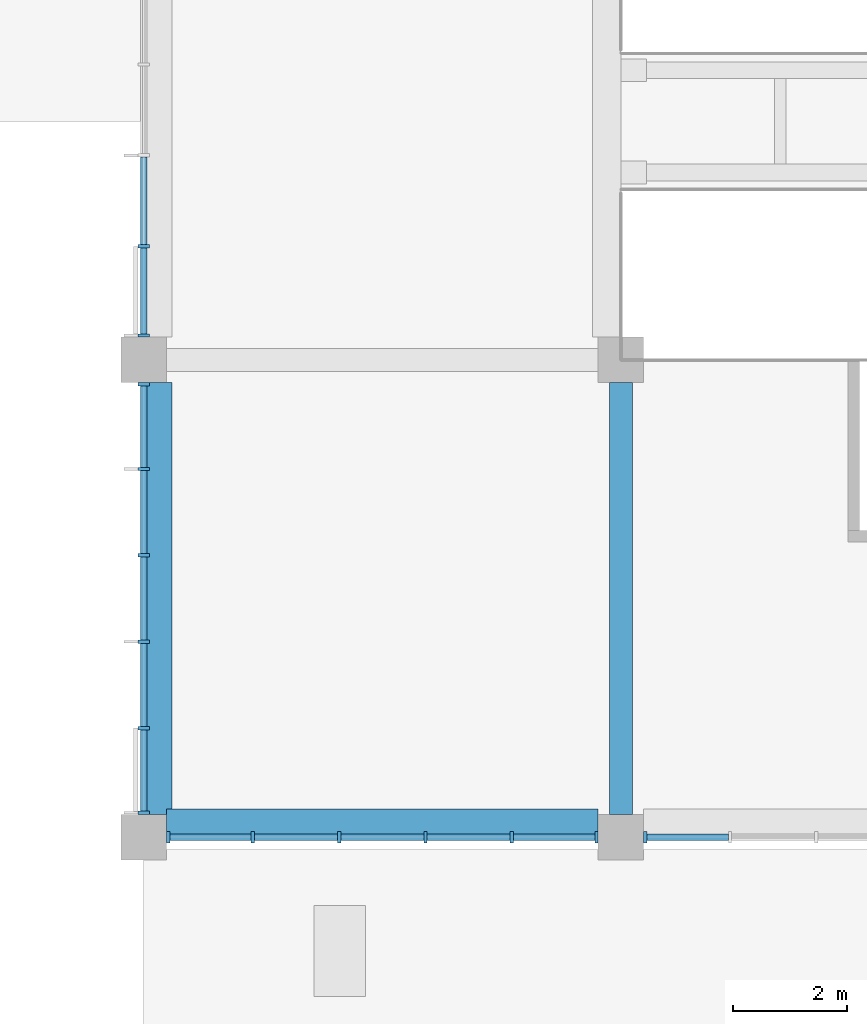
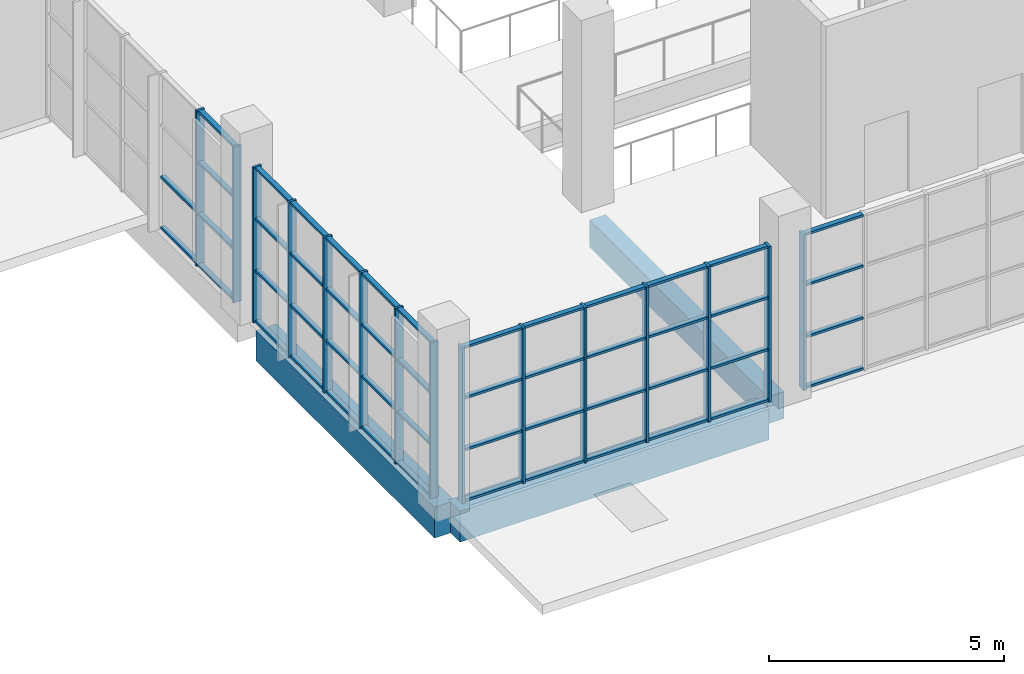
# One storey, part 11 of 101: 65 members, 3 beams, 4 elements without a shape of their own.
"""IFC4 building model written with IfcOpenShell, lengths in metres."""

from ifc_helpers import new_model, si_unit, direction, frame, origin, origin_2d, place, context, subcontext, project, spatial, rectangle, extrude, material, material_profile, profile_set, type_object, element, aggregate, save


model = new_model("IFC4")

# Units and contexts
model_context = context("Model", 3, precision=1e-05, world=origin(), true_north=direction((0.0, 1.0)))
body_context = subcontext(model_context, "Body", "Model", "MODEL_VIEW")
ifc_project = project(units=[si_unit("LENGTHUNIT", "METRE"), si_unit("AREAUNIT", "SQUARE_METRE"), si_unit("VOLUMEUNIT", "CUBIC_METRE"), si_unit("PLANEANGLEUNIT", "RADIAN"), si_unit("MASSUNIT", "GRAM", prefix="KILO")], contexts=[model_context])

# Site, building, storey
site_placement = place(None, origin())
site = spatial("IfcSite", under=ifc_project, at=site_placement, CompositionType="ELEMENT")
building_placement = place(site_placement, origin())
building = spatial("IfcBuilding", under=site, at=building_placement, Name="Almond Square Museum", CompositionType="ELEMENT")
storey_placement = place(building_placement, frame((0.0, 0.0, 5.5)))
storey = spatial("IfcBuildingStorey", under=building, at=storey_placement, Name="L01", CompositionType="ELEMENT", Elevation=5.5)

# Curtain wall, members
ifc_material_1 = material(Name="Aluminium and laminated glass", Category="aluminium")
curtain_wall_type = type_object("IfcCurtainWallType", Name="Unitised curtain wall 1500 module", PredefinedType="NOTDEFINED", material=ifc_material_1)
curtain_wall_1_placement = place(storey_placement, origin())
curtain_wall_1 = element("IfcCurtainWall", 1, at=curtain_wall_1_placement, inside=storey, type_object=curtain_wall_type, Name="Curtain wall CW-11", PredefinedType="NOTDEFINED")
ifc_material_2 = material(Name="Anodised aluminium", Category="aluminium")
ifc_material_profile_1 = material_profile(ifc_material_2, rectangle(XDim=0.199951171875, YDim=0.06005859375, at=origin_2d()))
ifc_profile_set_1 = profile_set([ifc_material_profile_1], Name="Anodised aluminium")
member_type_1 = type_object("IfcMemberType", Name="Aluminium mullion 60 x 200", PredefinedType="MULLION", material=ifc_profile_set_1)
member_1_placement = place(storey_placement, frame((73.199951171875, 76.030029296875, 0.0), z_axis=(0.0, 0.0, 1.0), x_axis=(-1.0, 0.0, 0.0)))
member_1 = element("IfcMember", 2, at=member_1_placement, type_object=member_type_1, Name="CW-11 mullion 1", PredefinedType="MULLION", context=body_context, shape_type="SweptSolid", body=[
    extrude(rectangle(XDim=0.199951171875, YDim=0.06005859375, at=origin_2d()), origin(), (0.0, 0.0, 1.0), 4.050048828125),
])
member_2_placement = place(storey_placement, frame((73.199951171875, 77.60009765625, 0.0), z_axis=(0.0, 0.0, 1.0), x_axis=(-1.0, 0.0, 0.0)))
member_2 = element("IfcMember", 3, at=member_2_placement, type_object=member_type_1, Name="CW-11 mullion 2", PredefinedType="MULLION", context=body_context, shape_type="SweptSolid", body=[
    extrude(rectangle(XDim=0.199951171875, YDim=0.06005859375, at=origin_2d()), origin(), (0.0, 0.0, 1.0), 4.050048828125),
])

curtain_wall_2_placement = place(storey_placement, origin())
curtain_wall_2 = element("IfcCurtainWall", 4, at=curtain_wall_2_placement, inside=storey, type_object=curtain_wall_type, Name="Curtain wall CW-12", PredefinedType="NOTDEFINED")
member_3_placement = place(storey_placement, frame((73.199951171875, 67.6298828125, 0.0), z_axis=(0.0, 0.0, 1.0), x_axis=(-1.0, 0.0, 0.0)))
member_3 = element("IfcMember", 5, at=member_3_placement, type_object=member_type_1, Name="CW-12 mullion 1", PredefinedType="MULLION", context=body_context, shape_type="SweptSolid", body=[
    extrude(rectangle(XDim=0.199951171875, YDim=0.06005859375, at=origin_2d()), origin(), (0.0, 0.0, 1.0), 4.050048828125),
])
member_4_placement = place(storey_placement, frame((73.199951171875, 69.1201171875, 0.0), z_axis=(0.0, 0.0, 1.0), x_axis=(-1.0, 0.0, 0.0)))
member_4 = element("IfcMember", 6, at=member_4_placement, type_object=member_type_1, Name="CW-12 mullion 2", PredefinedType="MULLION", context=body_context, shape_type="SweptSolid", body=[
    extrude(rectangle(XDim=0.199951171875, YDim=0.06005859375, at=origin_2d()), origin(), (0.0, 0.0, 1.0), 4.050048828125),
])
member_5_placement = place(storey_placement, frame((73.199951171875, 70.639892578125, 0.0), z_axis=(0.0, 0.0, 1.0), x_axis=(-1.0, 0.0, 0.0)))
member_5 = element("IfcMember", 7, at=member_5_placement, type_object=member_type_1, Name="CW-12 mullion 3", PredefinedType="MULLION", context=body_context, shape_type="SweptSolid", body=[
    extrude(rectangle(XDim=0.199951171875, YDim=0.06005859375, at=origin_2d()), origin(), (0.0, 0.0, 1.0), 4.050048828125),
])
member_6_placement = place(storey_placement, frame((73.199951171875, 72.159912109375, 0.0), z_axis=(0.0, 0.0, 1.0), x_axis=(-1.0, 0.0, 0.0)))
member_6 = element("IfcMember", 8, at=member_6_placement, type_object=member_type_1, Name="CW-12 mullion 4", PredefinedType="MULLION", context=body_context, shape_type="SweptSolid", body=[
    extrude(rectangle(XDim=0.199951171875, YDim=0.06005859375, at=origin_2d()), origin(), (0.0, 0.0, 1.0), 4.050048828125),
])
member_7_placement = place(storey_placement, frame((73.199951171875, 73.679931640625, 0.0), z_axis=(0.0, 0.0, 1.0), x_axis=(-1.0, 0.0, 0.0)))
member_7 = element("IfcMember", 9, at=member_7_placement, type_object=member_type_1, Name="CW-12 mullion 5", PredefinedType="MULLION", context=body_context, shape_type="SweptSolid", body=[
    extrude(rectangle(XDim=0.199951171875, YDim=0.06005859375, at=origin_2d()), origin(), (0.0, 0.0, 1.0), 4.050048828125),
])
member_8_placement = place(storey_placement, frame((73.199951171875, 75.169921875, 0.0), z_axis=(0.0, 0.0, 1.0), x_axis=(-1.0, 0.0, 0.0)))
member_8 = element("IfcMember", 10, at=member_8_placement, type_object=member_type_1, Name="CW-12 mullion 6", PredefinedType="MULLION", context=body_context, shape_type="SweptSolid", body=[
    extrude(rectangle(XDim=0.199951171875, YDim=0.06005859375, at=origin_2d()), origin(), (0.0, 0.0, 1.0), 4.050048828125),
])

curtain_wall_3_placement = place(storey_placement, origin())
curtain_wall_3 = element("IfcCurtainWall", 11, at=curtain_wall_3_placement, inside=storey, type_object=curtain_wall_type, Name="Curtain wall CW-13", PredefinedType="NOTDEFINED")
member_9_placement = place(storey_placement, frame((73.6298828125, 67.199951171875, 0.0), z_axis=(0.0, 0.0, 1.0), x_axis=(0.0, 1.0, 0.0)))
member_9 = element("IfcMember", 12, at=member_9_placement, type_object=member_type_1, Name="CW-13 mullion 1", PredefinedType="MULLION", context=body_context, shape_type="SweptSolid", body=[
    extrude(rectangle(XDim=0.199951171875, YDim=0.06005859375, at=origin_2d()), origin(), (0.0, 0.0, 1.0), 4.050048828125),
])
member_10_placement = place(storey_placement, frame((75.1201171875, 67.199951171875, 0.0), z_axis=(0.0, 0.0, 1.0), x_axis=(0.0, 1.0, 0.0)))
member_10 = element("IfcMember", 13, at=member_10_placement, type_object=member_type_1, Name="CW-13 mullion 2", PredefinedType="MULLION", context=body_context, shape_type="SweptSolid", body=[
    extrude(rectangle(XDim=0.199951171875, YDim=0.06005859375, at=origin_2d()), origin(), (0.0, 0.0, 1.0), 4.050048828125),
])
member_11_placement = place(storey_placement, frame((76.639892578125, 67.199951171875, 0.0), z_axis=(0.0, 0.0, 1.0), x_axis=(0.0, 1.0, 0.0)))
member_11 = element("IfcMember", 14, at=member_11_placement, type_object=member_type_1, Name="CW-13 mullion 3", PredefinedType="MULLION", context=body_context, shape_type="SweptSolid", body=[
    extrude(rectangle(XDim=0.199951171875, YDim=0.06005859375, at=origin_2d()), origin(), (0.0, 0.0, 1.0), 4.050048828125),
])
member_12_placement = place(storey_placement, frame((78.159912109375, 67.199951171875, 0.0), z_axis=(0.0, 0.0, 1.0), x_axis=(0.0, 1.0, 0.0)))
member_12 = element("IfcMember", 15, at=member_12_placement, type_object=member_type_1, Name="CW-13 mullion 4", PredefinedType="MULLION", context=body_context, shape_type="SweptSolid", body=[
    extrude(rectangle(XDim=0.199951171875, YDim=0.06005859375, at=origin_2d()), origin(), (0.0, 0.0, 1.0), 4.050048828125),
])
member_13_placement = place(storey_placement, frame((79.679931640625, 67.199951171875, 0.0), z_axis=(0.0, 0.0, 1.0), x_axis=(0.0, 1.0, 0.0)))
member_13 = element("IfcMember", 16, at=member_13_placement, type_object=member_type_1, Name="CW-13 mullion 5", PredefinedType="MULLION", context=body_context, shape_type="SweptSolid", body=[
    extrude(rectangle(XDim=0.199951171875, YDim=0.06005859375, at=origin_2d()), origin(), (0.0, 0.0, 1.0), 4.050048828125),
])
member_14_placement = place(storey_placement, frame((81.169921875, 67.199951171875, 0.0), z_axis=(0.0, 0.0, 1.0), x_axis=(0.0, 1.0, 0.0)))
member_14 = element("IfcMember", 17, at=member_14_placement, type_object=member_type_1, Name="CW-13 mullion 6", PredefinedType="MULLION", context=body_context, shape_type="SweptSolid", body=[
    extrude(rectangle(XDim=0.199951171875, YDim=0.06005859375, at=origin_2d()), origin(), (0.0, 0.0, 1.0), 4.050048828125),
])

# Curtain wall, member
curtain_wall_4_placement = place(storey_placement, origin())
curtain_wall_4 = element("IfcCurtainWall", 18, at=curtain_wall_4_placement, inside=storey, type_object=curtain_wall_type, Name="Curtain wall CW-14", PredefinedType="NOTDEFINED")
member_15_placement = place(storey_placement, frame((82.030029296875, 67.199951171875, 0.0), z_axis=(0.0, 0.0, 1.0), x_axis=(0.0, 1.0, 0.0)))
member_15 = element("IfcMember", 19, at=member_15_placement, type_object=member_type_1, Name="CW-14 mullion 1", PredefinedType="MULLION", context=body_context, shape_type="SweptSolid", body=[
    extrude(rectangle(XDim=0.199951171875, YDim=0.06005859375, at=origin_2d()), origin(), (0.0, 0.0, 1.0), 4.050048828125),
])

# Member
ifc_material_3 = material(Name="Anodised aluminium", Category="aluminium")
ifc_material_profile_2 = material_profile(ifc_material_3, rectangle(XDim=0.1201171875, YDim=0.06005859375, at=origin_2d()))
ifc_profile_set_2 = profile_set([ifc_material_profile_2], Name="Anodised aluminium")
member_type_2 = type_object("IfcMemberType", Name="Aluminium transom 60 x 120", PredefinedType="USERDEFINED", material=ifc_profile_set_2)
member_16_placement = place(storey_placement, frame((73.199951171875, 76.06005859375, 0.030029296875), z_axis=(0.0, 1.0, 0.0), x_axis=(-1.0, 0.0, 0.0)))
member_16 = element("IfcMember", 20, at=member_16_placement, type_object=member_type_2, Name="CW-11 transom 1.1", ObjectType="TRANSOM", PredefinedType="USERDEFINED", context=body_context, shape_type="SweptSolid", body=[
    extrude(rectangle(XDim=0.1201171875, YDim=0.06005859375, at=origin_2d()), origin(), (0.0, 0.0, 1.0), 1.510009765625),
])

member_17_placement = place(storey_placement, frame((73.199951171875, 76.06005859375, 1.35009765625), z_axis=(0.0, 1.0, 0.0), x_axis=(-1.0, 0.0, 0.0)))
member_17 = element("IfcMember", 21, at=member_17_placement, type_object=member_type_2, Name="CW-11 transom 1.2", ObjectType="TRANSOM", PredefinedType="USERDEFINED", context=body_context, shape_type="SweptSolid", body=[
    extrude(rectangle(XDim=0.1201171875, YDim=0.06005859375, at=origin_2d()), origin(), (0.0, 0.0, 1.0), 1.510009765625),
])

member_18_placement = place(storey_placement, frame((73.199951171875, 76.06005859375, 2.699951171875), z_axis=(0.0, 1.0, 0.0), x_axis=(-1.0, 0.0, 0.0)))
member_18 = element("IfcMember", 22, at=member_18_placement, type_object=member_type_2, Name="CW-11 transom 1.3", ObjectType="TRANSOM", PredefinedType="USERDEFINED", context=body_context, shape_type="SweptSolid", body=[
    extrude(rectangle(XDim=0.1201171875, YDim=0.06005859375, at=origin_2d()), origin(), (0.0, 0.0, 1.0), 1.510009765625),
])

member_19_placement = place(storey_placement, frame((73.199951171875, 76.06005859375, 4.02001953125), z_axis=(0.0, 1.0, 0.0), x_axis=(-1.0, 0.0, 0.0)))
member_19 = element("IfcMember", 23, at=member_19_placement, type_object=member_type_2, Name="CW-11 transom 1.4", ObjectType="TRANSOM", PredefinedType="USERDEFINED", context=body_context, shape_type="SweptSolid", body=[
    extrude(rectangle(XDim=0.1201171875, YDim=0.06005859375, at=origin_2d()), origin(), (0.0, 0.0, 1.0), 1.510009765625),
])

member_20_placement = place(storey_placement, frame((73.199951171875, 77.6298828125, 0.030029296875), z_axis=(0.0, 1.0, 0.0), x_axis=(-1.0, 0.0, 0.0)))
member_20 = element("IfcMember", 24, at=member_20_placement, type_object=member_type_2, Name="CW-11 transom 2.1", ObjectType="TRANSOM", PredefinedType="USERDEFINED", context=body_context, shape_type="SweptSolid", body=[
    extrude(rectangle(XDim=0.1201171875, YDim=0.06005859375, at=origin_2d()), origin(), (0.0, 0.0, 1.0), 1.5400390625),
])

member_21_placement = place(storey_placement, frame((73.199951171875, 77.6298828125, 1.35009765625), z_axis=(0.0, 1.0, 0.0), x_axis=(-1.0, 0.0, 0.0)))
member_21 = element("IfcMember", 25, at=member_21_placement, type_object=member_type_2, Name="CW-11 transom 2.2", ObjectType="TRANSOM", PredefinedType="USERDEFINED", context=body_context, shape_type="SweptSolid", body=[
    extrude(rectangle(XDim=0.1201171875, YDim=0.06005859375, at=origin_2d()), origin(), (0.0, 0.0, 1.0), 1.5400390625),
])

aggregate(curtain_wall_1, [member_1, member_2, member_16, member_17, member_18, member_19, member_20, member_21])

member_22_placement = place(storey_placement, frame((73.199951171875, 67.659912109375, 0.030029296875), z_axis=(0.0, 1.0, 0.0), x_axis=(-1.0, 0.0, 0.0)))
member_22 = element("IfcMember", 26, at=member_22_placement, type_object=member_type_2, Name="CW-12 transom 1.1", ObjectType="TRANSOM", PredefinedType="USERDEFINED", context=body_context, shape_type="SweptSolid", body=[
    extrude(rectangle(XDim=0.1201171875, YDim=0.06005859375, at=origin_2d()), origin(), (0.0, 0.0, 1.0), 1.43017578125),
])

member_23_placement = place(storey_placement, frame((73.199951171875, 67.659912109375, 1.35009765625), z_axis=(0.0, 1.0, 0.0), x_axis=(-1.0, 0.0, 0.0)))
member_23 = element("IfcMember", 27, at=member_23_placement, type_object=member_type_2, Name="CW-12 transom 1.2", ObjectType="TRANSOM", PredefinedType="USERDEFINED", context=body_context, shape_type="SweptSolid", body=[
    extrude(rectangle(XDim=0.1201171875, YDim=0.06005859375, at=origin_2d()), origin(), (0.0, 0.0, 1.0), 1.43017578125),
])

member_24_placement = place(storey_placement, frame((73.199951171875, 67.659912109375, 2.699951171875), z_axis=(0.0, 1.0, 0.0), x_axis=(-1.0, 0.0, 0.0)))
member_24 = element("IfcMember", 28, at=member_24_placement, type_object=member_type_2, Name="CW-12 transom 1.3", ObjectType="TRANSOM", PredefinedType="USERDEFINED", context=body_context, shape_type="SweptSolid", body=[
    extrude(rectangle(XDim=0.1201171875, YDim=0.06005859375, at=origin_2d()), origin(), (0.0, 0.0, 1.0), 1.43017578125),
])

member_25_placement = place(storey_placement, frame((73.199951171875, 67.659912109375, 4.02001953125), z_axis=(0.0, 1.0, 0.0), x_axis=(-1.0, 0.0, 0.0)))
member_25 = element("IfcMember", 29, at=member_25_placement, type_object=member_type_2, Name="CW-12 transom 1.4", ObjectType="TRANSOM", PredefinedType="USERDEFINED", context=body_context, shape_type="SweptSolid", body=[
    extrude(rectangle(XDim=0.1201171875, YDim=0.06005859375, at=origin_2d()), origin(), (0.0, 0.0, 1.0), 1.43017578125),
])

member_26_placement = place(storey_placement, frame((73.199951171875, 69.14990234375, 0.030029296875), z_axis=(0.0, 1.0, 0.0), x_axis=(-1.0, 0.0, 0.0)))
member_26 = element("IfcMember", 30, at=member_26_placement, type_object=member_type_2, Name="CW-12 transom 2.1", ObjectType="TRANSOM", PredefinedType="USERDEFINED", context=body_context, shape_type="SweptSolid", body=[
    extrude(rectangle(XDim=0.1201171875, YDim=0.06005859375, at=origin_2d()), origin(), (0.0, 0.0, 1.0), 1.460205078125),
])

member_27_placement = place(storey_placement, frame((73.199951171875, 69.14990234375, 1.35009765625), z_axis=(0.0, 1.0, 0.0), x_axis=(-1.0, 0.0, 0.0)))
member_27 = element("IfcMember", 31, at=member_27_placement, type_object=member_type_2, Name="CW-12 transom 2.2", ObjectType="TRANSOM", PredefinedType="USERDEFINED", context=body_context, shape_type="SweptSolid", body=[
    extrude(rectangle(XDim=0.1201171875, YDim=0.06005859375, at=origin_2d()), origin(), (0.0, 0.0, 1.0), 1.460205078125),
])

member_28_placement = place(storey_placement, frame((73.199951171875, 69.14990234375, 2.699951171875), z_axis=(0.0, 1.0, 0.0), x_axis=(-1.0, 0.0, 0.0)))
member_28 = element("IfcMember", 32, at=member_28_placement, type_object=member_type_2, Name="CW-12 transom 2.3", ObjectType="TRANSOM", PredefinedType="USERDEFINED", context=body_context, shape_type="SweptSolid", body=[
    extrude(rectangle(XDim=0.1201171875, YDim=0.06005859375, at=origin_2d()), origin(), (0.0, 0.0, 1.0), 1.460205078125),
])

member_29_placement = place(storey_placement, frame((73.199951171875, 69.14990234375, 4.02001953125), z_axis=(0.0, 1.0, 0.0), x_axis=(-1.0, 0.0, 0.0)))
member_29 = element("IfcMember", 33, at=member_29_placement, type_object=member_type_2, Name="CW-12 transom 2.4", ObjectType="TRANSOM", PredefinedType="USERDEFINED", context=body_context, shape_type="SweptSolid", body=[
    extrude(rectangle(XDim=0.1201171875, YDim=0.06005859375, at=origin_2d()), origin(), (0.0, 0.0, 1.0), 1.460205078125),
])

member_30_placement = place(storey_placement, frame((73.199951171875, 70.669921875, 0.030029296875), z_axis=(0.0, 1.0, 0.0), x_axis=(-1.0, 0.0, 0.0)))
member_30 = element("IfcMember", 34, at=member_30_placement, type_object=member_type_2, Name="CW-12 transom 3.1", ObjectType="TRANSOM", PredefinedType="USERDEFINED", context=body_context, shape_type="SweptSolid", body=[
    extrude(rectangle(XDim=0.1201171875, YDim=0.06005859375, at=origin_2d()), origin(), (0.0, 0.0, 1.0), 1.4599609375),
])

member_31_placement = place(storey_placement, frame((73.199951171875, 70.669921875, 1.35009765625), z_axis=(0.0, 1.0, 0.0), x_axis=(-1.0, 0.0, 0.0)))
member_31 = element("IfcMember", 35, at=member_31_placement, type_object=member_type_2, Name="CW-12 transom 3.2", ObjectType="TRANSOM", PredefinedType="USERDEFINED", context=body_context, shape_type="SweptSolid", body=[
    extrude(rectangle(XDim=0.1201171875, YDim=0.06005859375, at=origin_2d()), origin(), (0.0, 0.0, 1.0), 1.4599609375),
])

member_32_placement = place(storey_placement, frame((73.199951171875, 70.669921875, 2.699951171875), z_axis=(0.0, 1.0, 0.0), x_axis=(-1.0, 0.0, 0.0)))
member_32 = element("IfcMember", 36, at=member_32_placement, type_object=member_type_2, Name="CW-12 transom 3.3", ObjectType="TRANSOM", PredefinedType="USERDEFINED", context=body_context, shape_type="SweptSolid", body=[
    extrude(rectangle(XDim=0.1201171875, YDim=0.06005859375, at=origin_2d()), origin(), (0.0, 0.0, 1.0), 1.4599609375),
])

member_33_placement = place(storey_placement, frame((73.199951171875, 70.669921875, 4.02001953125), z_axis=(0.0, 1.0, 0.0), x_axis=(-1.0, 0.0, 0.0)))
member_33 = element("IfcMember", 37, at=member_33_placement, type_object=member_type_2, Name="CW-12 transom 3.4", ObjectType="TRANSOM", PredefinedType="USERDEFINED", context=body_context, shape_type="SweptSolid", body=[
    extrude(rectangle(XDim=0.1201171875, YDim=0.06005859375, at=origin_2d()), origin(), (0.0, 0.0, 1.0), 1.4599609375),
])

member_34_placement = place(storey_placement, frame((73.199951171875, 72.18994140625, 0.030029296875), z_axis=(0.0, 1.0, 0.0), x_axis=(-1.0, 0.0, 0.0)))
member_34 = element("IfcMember", 38, at=member_34_placement, type_object=member_type_2, Name="CW-12 transom 4.1", ObjectType="TRANSOM", PredefinedType="USERDEFINED", context=body_context, shape_type="SweptSolid", body=[
    extrude(rectangle(XDim=0.1201171875, YDim=0.06005859375, at=origin_2d()), origin(), (0.0, 0.0, 1.0), 1.4599609375),
])

member_35_placement = place(storey_placement, frame((73.199951171875, 72.18994140625, 1.35009765625), z_axis=(0.0, 1.0, 0.0), x_axis=(-1.0, 0.0, 0.0)))
member_35 = element("IfcMember", 39, at=member_35_placement, type_object=member_type_2, Name="CW-12 transom 4.2", ObjectType="TRANSOM", PredefinedType="USERDEFINED", context=body_context, shape_type="SweptSolid", body=[
    extrude(rectangle(XDim=0.1201171875, YDim=0.06005859375, at=origin_2d()), origin(), (0.0, 0.0, 1.0), 1.4599609375),
])

member_36_placement = place(storey_placement, frame((73.199951171875, 72.18994140625, 2.699951171875), z_axis=(0.0, 1.0, 0.0), x_axis=(-1.0, 0.0, 0.0)))
member_36 = element("IfcMember", 40, at=member_36_placement, type_object=member_type_2, Name="CW-12 transom 4.3", ObjectType="TRANSOM", PredefinedType="USERDEFINED", context=body_context, shape_type="SweptSolid", body=[
    extrude(rectangle(XDim=0.1201171875, YDim=0.06005859375, at=origin_2d()), origin(), (0.0, 0.0, 1.0), 1.4599609375),
])

member_37_placement = place(storey_placement, frame((73.199951171875, 72.18994140625, 4.02001953125), z_axis=(0.0, 1.0, 0.0), x_axis=(-1.0, 0.0, 0.0)))
member_37 = element("IfcMember", 41, at=member_37_placement, type_object=member_type_2, Name="CW-12 transom 4.4", ObjectType="TRANSOM", PredefinedType="USERDEFINED", context=body_context, shape_type="SweptSolid", body=[
    extrude(rectangle(XDim=0.1201171875, YDim=0.06005859375, at=origin_2d()), origin(), (0.0, 0.0, 1.0), 1.4599609375),
])

member_38_placement = place(storey_placement, frame((73.199951171875, 73.7099609375, 0.030029296875), z_axis=(0.0, 1.0, 0.0), x_axis=(-1.0, 0.0, 0.0)))
member_38 = element("IfcMember", 42, at=member_38_placement, type_object=member_type_2, Name="CW-12 transom 5.1", ObjectType="TRANSOM", PredefinedType="USERDEFINED", context=body_context, shape_type="SweptSolid", body=[
    extrude(rectangle(XDim=0.1201171875, YDim=0.06005859375, at=origin_2d()), origin(), (0.0, 0.0, 1.0), 1.429931640625),
])

member_39_placement = place(storey_placement, frame((73.199951171875, 73.7099609375, 1.35009765625), z_axis=(0.0, 1.0, 0.0), x_axis=(-1.0, 0.0, 0.0)))
member_39 = element("IfcMember", 43, at=member_39_placement, type_object=member_type_2, Name="CW-12 transom 5.2", ObjectType="TRANSOM", PredefinedType="USERDEFINED", context=body_context, shape_type="SweptSolid", body=[
    extrude(rectangle(XDim=0.1201171875, YDim=0.06005859375, at=origin_2d()), origin(), (0.0, 0.0, 1.0), 1.429931640625),
])

member_40_placement = place(storey_placement, frame((73.199951171875, 73.7099609375, 2.699951171875), z_axis=(0.0, 1.0, 0.0), x_axis=(-1.0, 0.0, 0.0)))
member_40 = element("IfcMember", 44, at=member_40_placement, type_object=member_type_2, Name="CW-12 transom 5.3", ObjectType="TRANSOM", PredefinedType="USERDEFINED", context=body_context, shape_type="SweptSolid", body=[
    extrude(rectangle(XDim=0.1201171875, YDim=0.06005859375, at=origin_2d()), origin(), (0.0, 0.0, 1.0), 1.429931640625),
])

member_41_placement = place(storey_placement, frame((73.199951171875, 73.7099609375, 4.02001953125), z_axis=(0.0, 1.0, 0.0), x_axis=(-1.0, 0.0, 0.0)))
member_41 = element("IfcMember", 45, at=member_41_placement, type_object=member_type_2, Name="CW-12 transom 5.4", ObjectType="TRANSOM", PredefinedType="USERDEFINED", context=body_context, shape_type="SweptSolid", body=[
    extrude(rectangle(XDim=0.1201171875, YDim=0.06005859375, at=origin_2d()), origin(), (0.0, 0.0, 1.0), 1.429931640625),
])

aggregate(curtain_wall_2, [member_3, member_4, member_5, member_6, member_7, member_8, member_22, member_23, member_24, member_25, member_26, member_27, member_28, member_29, member_30, member_31, member_32, member_33, member_34, member_35, member_36, member_37, member_38, member_39, member_40, member_41])

member_42_placement = place(storey_placement, frame((73.659912109375, 67.199951171875, 0.030029296875), z_axis=(1.0, 0.0, 0.0), x_axis=(0.0, 1.0, 0.0)))
member_42 = element("IfcMember", 46, at=member_42_placement, type_object=member_type_2, Name="CW-13 transom 1.1", ObjectType="TRANSOM", PredefinedType="USERDEFINED", context=body_context, shape_type="SweptSolid", body=[
    extrude(rectangle(XDim=0.1201171875, YDim=0.06005859375, at=origin_2d()), origin(), (0.0, 0.0, 1.0), 1.43017578125),
])

member_43_placement = place(storey_placement, frame((73.659912109375, 67.199951171875, 1.35009765625), z_axis=(1.0, 0.0, 0.0), x_axis=(0.0, 1.0, 0.0)))
member_43 = element("IfcMember", 47, at=member_43_placement, type_object=member_type_2, Name="CW-13 transom 1.2", ObjectType="TRANSOM", PredefinedType="USERDEFINED", context=body_context, shape_type="SweptSolid", body=[
    extrude(rectangle(XDim=0.1201171875, YDim=0.06005859375, at=origin_2d()), origin(), (0.0, 0.0, 1.0), 1.43017578125),
])

member_44_placement = place(storey_placement, frame((73.659912109375, 67.199951171875, 2.699951171875), z_axis=(1.0, 0.0, 0.0), x_axis=(0.0, 1.0, 0.0)))
member_44 = element("IfcMember", 48, at=member_44_placement, type_object=member_type_2, Name="CW-13 transom 1.3", ObjectType="TRANSOM", PredefinedType="USERDEFINED", context=body_context, shape_type="SweptSolid", body=[
    extrude(rectangle(XDim=0.1201171875, YDim=0.06005859375, at=origin_2d()), origin(), (0.0, 0.0, 1.0), 1.43017578125),
])

member_45_placement = place(storey_placement, frame((73.659912109375, 67.199951171875, 4.02001953125), z_axis=(1.0, 0.0, 0.0), x_axis=(0.0, 1.0, 0.0)))
member_45 = element("IfcMember", 49, at=member_45_placement, type_object=member_type_2, Name="CW-13 transom 1.4", ObjectType="TRANSOM", PredefinedType="USERDEFINED", context=body_context, shape_type="SweptSolid", body=[
    extrude(rectangle(XDim=0.1201171875, YDim=0.06005859375, at=origin_2d()), origin(), (0.0, 0.0, 1.0), 1.43017578125),
])

member_46_placement = place(storey_placement, frame((75.14990234375, 67.199951171875, 0.030029296875), z_axis=(1.0, 0.0, 0.0), x_axis=(0.0, 1.0, 0.0)))
member_46 = element("IfcMember", 50, at=member_46_placement, type_object=member_type_2, Name="CW-13 transom 2.1", ObjectType="TRANSOM", PredefinedType="USERDEFINED", context=body_context, shape_type="SweptSolid", body=[
    extrude(rectangle(XDim=0.1201171875, YDim=0.06005859375, at=origin_2d()), origin(), (0.0, 0.0, 1.0), 1.460205078125),
])

member_47_placement = place(storey_placement, frame((75.14990234375, 67.199951171875, 1.35009765625), z_axis=(1.0, 0.0, 0.0), x_axis=(0.0, 1.0, 0.0)))
member_47 = element("IfcMember", 51, at=member_47_placement, type_object=member_type_2, Name="CW-13 transom 2.2", ObjectType="TRANSOM", PredefinedType="USERDEFINED", context=body_context, shape_type="SweptSolid", body=[
    extrude(rectangle(XDim=0.1201171875, YDim=0.06005859375, at=origin_2d()), origin(), (0.0, 0.0, 1.0), 1.460205078125),
])

member_48_placement = place(storey_placement, frame((75.14990234375, 67.199951171875, 2.699951171875), z_axis=(1.0, 0.0, 0.0), x_axis=(0.0, 1.0, 0.0)))
member_48 = element("IfcMember", 52, at=member_48_placement, type_object=member_type_2, Name="CW-13 transom 2.3", ObjectType="TRANSOM", PredefinedType="USERDEFINED", context=body_context, shape_type="SweptSolid", body=[
    extrude(rectangle(XDim=0.1201171875, YDim=0.06005859375, at=origin_2d()), origin(), (0.0, 0.0, 1.0), 1.460205078125),
])

member_49_placement = place(storey_placement, frame((75.14990234375, 67.199951171875, 4.02001953125), z_axis=(1.0, 0.0, 0.0), x_axis=(0.0, 1.0, 0.0)))
member_49 = element("IfcMember", 53, at=member_49_placement, type_object=member_type_2, Name="CW-13 transom 2.4", ObjectType="TRANSOM", PredefinedType="USERDEFINED", context=body_context, shape_type="SweptSolid", body=[
    extrude(rectangle(XDim=0.1201171875, YDim=0.06005859375, at=origin_2d()), origin(), (0.0, 0.0, 1.0), 1.460205078125),
])

member_50_placement = place(storey_placement, frame((76.669921875, 67.199951171875, 0.030029296875), z_axis=(1.0, 0.0, 0.0), x_axis=(0.0, 1.0, 0.0)))
member_50 = element("IfcMember", 54, at=member_50_placement, type_object=member_type_2, Name="CW-13 transom 3.1", ObjectType="TRANSOM", PredefinedType="USERDEFINED", context=body_context, shape_type="SweptSolid", body=[
    extrude(rectangle(XDim=0.1201171875, YDim=0.06005859375, at=origin_2d()), origin(), (0.0, 0.0, 1.0), 1.4599609375),
])

member_51_placement = place(storey_placement, frame((76.669921875, 67.199951171875, 1.35009765625), z_axis=(1.0, 0.0, 0.0), x_axis=(0.0, 1.0, 0.0)))
member_51 = element("IfcMember", 55, at=member_51_placement, type_object=member_type_2, Name="CW-13 transom 3.2", ObjectType="TRANSOM", PredefinedType="USERDEFINED", context=body_context, shape_type="SweptSolid", body=[
    extrude(rectangle(XDim=0.1201171875, YDim=0.06005859375, at=origin_2d()), origin(), (0.0, 0.0, 1.0), 1.4599609375),
])

member_52_placement = place(storey_placement, frame((76.669921875, 67.199951171875, 2.699951171875), z_axis=(1.0, 0.0, 0.0), x_axis=(0.0, 1.0, 0.0)))
member_52 = element("IfcMember", 56, at=member_52_placement, type_object=member_type_2, Name="CW-13 transom 3.3", ObjectType="TRANSOM", PredefinedType="USERDEFINED", context=body_context, shape_type="SweptSolid", body=[
    extrude(rectangle(XDim=0.1201171875, YDim=0.06005859375, at=origin_2d()), origin(), (0.0, 0.0, 1.0), 1.4599609375),
])

member_53_placement = place(storey_placement, frame((76.669921875, 67.199951171875, 4.02001953125), z_axis=(1.0, 0.0, 0.0), x_axis=(0.0, 1.0, 0.0)))
member_53 = element("IfcMember", 57, at=member_53_placement, type_object=member_type_2, Name="CW-13 transom 3.4", ObjectType="TRANSOM", PredefinedType="USERDEFINED", context=body_context, shape_type="SweptSolid", body=[
    extrude(rectangle(XDim=0.1201171875, YDim=0.06005859375, at=origin_2d()), origin(), (0.0, 0.0, 1.0), 1.4599609375),
])

member_54_placement = place(storey_placement, frame((78.18994140625, 67.199951171875, 0.030029296875), z_axis=(1.0, 0.0, 0.0), x_axis=(0.0, 1.0, 0.0)))
member_54 = element("IfcMember", 58, at=member_54_placement, type_object=member_type_2, Name="CW-13 transom 4.1", ObjectType="TRANSOM", PredefinedType="USERDEFINED", context=body_context, shape_type="SweptSolid", body=[
    extrude(rectangle(XDim=0.1201171875, YDim=0.06005859375, at=origin_2d()), origin(), (0.0, 0.0, 1.0), 1.4599609375),
])

member_55_placement = place(storey_placement, frame((78.18994140625, 67.199951171875, 1.35009765625), z_axis=(1.0, 0.0, 0.0), x_axis=(0.0, 1.0, 0.0)))
member_55 = element("IfcMember", 59, at=member_55_placement, type_object=member_type_2, Name="CW-13 transom 4.2", ObjectType="TRANSOM", PredefinedType="USERDEFINED", context=body_context, shape_type="SweptSolid", body=[
    extrude(rectangle(XDim=0.1201171875, YDim=0.06005859375, at=origin_2d()), origin(), (0.0, 0.0, 1.0), 1.4599609375),
])

member_56_placement = place(storey_placement, frame((78.18994140625, 67.199951171875, 2.699951171875), z_axis=(1.0, 0.0, 0.0), x_axis=(0.0, 1.0, 0.0)))
member_56 = element("IfcMember", 60, at=member_56_placement, type_object=member_type_2, Name="CW-13 transom 4.3", ObjectType="TRANSOM", PredefinedType="USERDEFINED", context=body_context, shape_type="SweptSolid", body=[
    extrude(rectangle(XDim=0.1201171875, YDim=0.06005859375, at=origin_2d()), origin(), (0.0, 0.0, 1.0), 1.4599609375),
])

member_57_placement = place(storey_placement, frame((78.18994140625, 67.199951171875, 4.02001953125), z_axis=(1.0, 0.0, 0.0), x_axis=(0.0, 1.0, 0.0)))
member_57 = element("IfcMember", 61, at=member_57_placement, type_object=member_type_2, Name="CW-13 transom 4.4", ObjectType="TRANSOM", PredefinedType="USERDEFINED", context=body_context, shape_type="SweptSolid", body=[
    extrude(rectangle(XDim=0.1201171875, YDim=0.06005859375, at=origin_2d()), origin(), (0.0, 0.0, 1.0), 1.4599609375),
])

member_58_placement = place(storey_placement, frame((79.7099609375, 67.199951171875, 0.030029296875), z_axis=(1.0, 0.0, 0.0), x_axis=(0.0, 1.0, 0.0)))
member_58 = element("IfcMember", 62, at=member_58_placement, type_object=member_type_2, Name="CW-13 transom 5.1", ObjectType="TRANSOM", PredefinedType="USERDEFINED", context=body_context, shape_type="SweptSolid", body=[
    extrude(rectangle(XDim=0.1201171875, YDim=0.06005859375, at=origin_2d()), origin(), (0.0, 0.0, 1.0), 1.429931640625),
])

member_59_placement = place(storey_placement, frame((79.7099609375, 67.199951171875, 1.35009765625), z_axis=(1.0, 0.0, 0.0), x_axis=(0.0, 1.0, 0.0)))
member_59 = element("IfcMember", 63, at=member_59_placement, type_object=member_type_2, Name="CW-13 transom 5.2", ObjectType="TRANSOM", PredefinedType="USERDEFINED", context=body_context, shape_type="SweptSolid", body=[
    extrude(rectangle(XDim=0.1201171875, YDim=0.06005859375, at=origin_2d()), origin(), (0.0, 0.0, 1.0), 1.429931640625),
])

member_60_placement = place(storey_placement, frame((79.7099609375, 67.199951171875, 2.699951171875), z_axis=(1.0, 0.0, 0.0), x_axis=(0.0, 1.0, 0.0)))
member_60 = element("IfcMember", 64, at=member_60_placement, type_object=member_type_2, Name="CW-13 transom 5.3", ObjectType="TRANSOM", PredefinedType="USERDEFINED", context=body_context, shape_type="SweptSolid", body=[
    extrude(rectangle(XDim=0.1201171875, YDim=0.06005859375, at=origin_2d()), origin(), (0.0, 0.0, 1.0), 1.429931640625),
])

member_61_placement = place(storey_placement, frame((79.7099609375, 67.199951171875, 4.02001953125), z_axis=(1.0, 0.0, 0.0), x_axis=(0.0, 1.0, 0.0)))
member_61 = element("IfcMember", 65, at=member_61_placement, type_object=member_type_2, Name="CW-13 transom 5.4", ObjectType="TRANSOM", PredefinedType="USERDEFINED", context=body_context, shape_type="SweptSolid", body=[
    extrude(rectangle(XDim=0.1201171875, YDim=0.06005859375, at=origin_2d()), origin(), (0.0, 0.0, 1.0), 1.429931640625),
])

aggregate(curtain_wall_3, [member_9, member_10, member_11, member_12, member_13, member_14, member_42, member_43, member_44, member_45, member_46, member_47, member_48, member_49, member_50, member_51, member_52, member_53, member_54, member_55, member_56, member_57, member_58, member_59, member_60, member_61])

member_62_placement = place(storey_placement, frame((82.06005859375, 67.199951171875, 0.030029296875), z_axis=(1.0, 0.0, 0.0), x_axis=(0.0, 1.0, 0.0)))
member_62 = element("IfcMember", 66, at=member_62_placement, type_object=member_type_2, Name="CW-14 transom 1.1", ObjectType="TRANSOM", PredefinedType="USERDEFINED", context=body_context, shape_type="SweptSolid", body=[
    extrude(rectangle(XDim=0.1201171875, YDim=0.06005859375, at=origin_2d()), origin(), (0.0, 0.0, 1.0), 1.429931640625),
])

member_63_placement = place(storey_placement, frame((82.06005859375, 67.199951171875, 1.35009765625), z_axis=(1.0, 0.0, 0.0), x_axis=(0.0, 1.0, 0.0)))
member_63 = element("IfcMember", 67, at=member_63_placement, type_object=member_type_2, Name="CW-14 transom 1.2", ObjectType="TRANSOM", PredefinedType="USERDEFINED", context=body_context, shape_type="SweptSolid", body=[
    extrude(rectangle(XDim=0.1201171875, YDim=0.06005859375, at=origin_2d()), origin(), (0.0, 0.0, 1.0), 1.429931640625),
])

member_64_placement = place(storey_placement, frame((82.06005859375, 67.199951171875, 2.699951171875), z_axis=(1.0, 0.0, 0.0), x_axis=(0.0, 1.0, 0.0)))
member_64 = element("IfcMember", 68, at=member_64_placement, type_object=member_type_2, Name="CW-14 transom 1.3", ObjectType="TRANSOM", PredefinedType="USERDEFINED", context=body_context, shape_type="SweptSolid", body=[
    extrude(rectangle(XDim=0.1201171875, YDim=0.06005859375, at=origin_2d()), origin(), (0.0, 0.0, 1.0), 1.429931640625),
])

member_65_placement = place(storey_placement, frame((82.06005859375, 67.199951171875, 4.02001953125), z_axis=(1.0, 0.0, 0.0), x_axis=(0.0, 1.0, 0.0)))
member_65 = element("IfcMember", 69, at=member_65_placement, type_object=member_type_2, Name="CW-14 transom 1.4", ObjectType="TRANSOM", PredefinedType="USERDEFINED", context=body_context, shape_type="SweptSolid", body=[
    extrude(rectangle(XDim=0.1201171875, YDim=0.06005859375, at=origin_2d()), origin(), (0.0, 0.0, 1.0), 1.429931640625),
])

aggregate(curtain_wall_4, [member_15, member_62, member_63, member_64, member_65])

# Beams
ifc_material_4 = material(Name="Concrete C40/50", Category="concrete")
ifc_material_profile_3 = material_profile(ifc_material_4, rectangle(XDim=0.39990234375, YDim=0.699951171875, at=origin_2d()))
ifc_profile_set_3 = profile_set([ifc_material_profile_3], Name="Concrete C40/50")
beam_type_1 = type_object("IfcBeamType", Name="RC beam 400 x 700 C40/50", PredefinedType="BEAM", material=ifc_profile_set_3)
beam_placement = place(storey_placement, frame((81.60009765625, 67.60009765625, -0.60009765625), z_axis=(0.0, 1.0, 0.0), x_axis=(-1.0, 0.0, 0.0)))
element("IfcBeam", 70, at=beam_placement, inside=storey, type_object=beam_type_1, Name="Beam 11 I-J L01", PredefinedType="BEAM", context=body_context, shape_type="SweptSolid", body=[
    extrude(rectangle(XDim=0.39990234375, YDim=0.699951171875, at=origin_2d()), origin(), (0.0, 0.0, 1.0), 7.599853515625),
])
ifc_material_5 = material(Name="Concrete C40/50", Category="concrete")
ifc_material_profile_4 = material_profile(ifc_material_5, rectangle(XDim=0.5, YDim=0.800048828125, at=origin_2d()))
ifc_profile_set_4 = profile_set([ifc_material_profile_4], Name="Concrete C40/50")
beam_type_2 = type_object("IfcBeamType", Name="RC edge beam 500 x 800 C40/50", PredefinedType="BEAM", material=ifc_profile_set_4)
for number, where, z_axis, x_axis, name in (
    (71, (73.60009765625, 67.449951171875, -0.64990234375), (1.0, 0.0, 0.0), (0.0, 1.0, 0.0), "Edge beam I 10-11 L01"),
    (72, (73.449951171875, 67.60009765625, -0.64990234375), (0.0, 1.0, 0.0), (-1.0, 0.0, 0.0), "Edge beam 10 I-J L01"),
):
    element("IfcBeam", number, at=place(storey_placement, frame(where, z_axis=z_axis, x_axis=x_axis)), inside=storey, type_object=beam_type_2, Name=name, PredefinedType="BEAM", context=body_context, shape_type="SweptSolid", body=[
        extrude(rectangle(XDim=0.5, YDim=0.800048828125, at=origin_2d()), origin(), (0.0, 0.0, 1.0), 7.599853515625),
    ])

save(model, "model.ifc")
